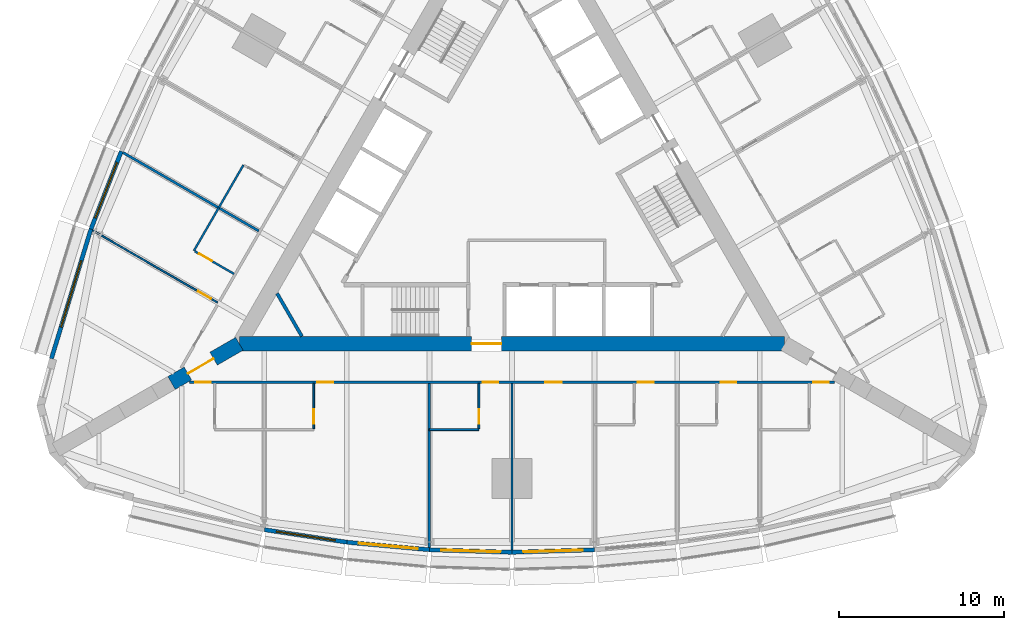
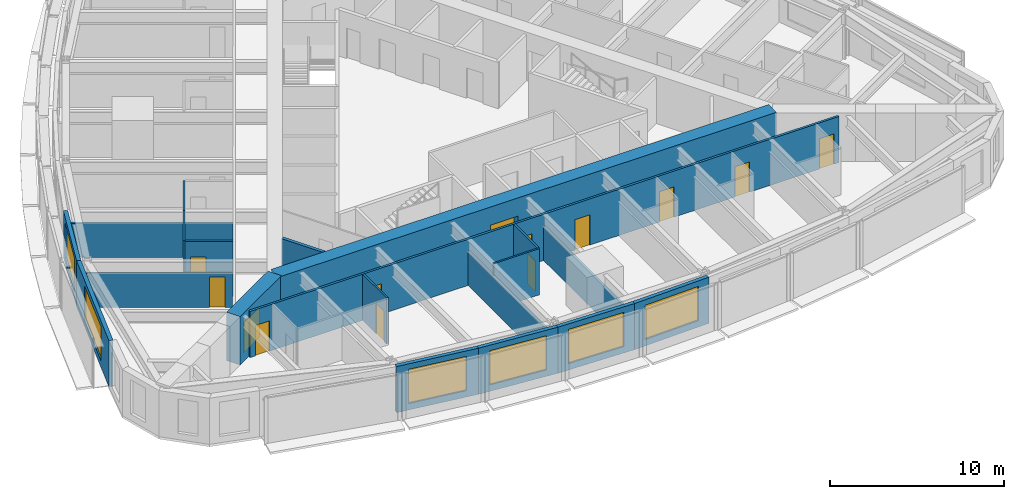
# One storey, part 8 of 14: 20 walls, 13 doors, 6 windows, 19 openings.
"""IFC4 building model written with IfcOpenShell, lengths in metres."""

from ifc_helpers import new_model, si_unit, direction, frame, frame_2d, origin, place, context, subcontext, project, spatial, rectangle, extrude, material, layer, layer_set, type_object, element, fill, save


model = new_model("IFC4")

# Units and contexts
model_context = context("Model", 3, precision=1e-05, world=origin(), true_north=direction((0.0, 1.0)))
body_context = subcontext(model_context, "Body", "Model", "MODEL_VIEW")
ifc_project = project(units=[si_unit("LENGTHUNIT", "METRE"), si_unit("AREAUNIT", "SQUARE_METRE"), si_unit("VOLUMEUNIT", "CUBIC_METRE"), si_unit("PLANEANGLEUNIT", "RADIAN"), si_unit("MASSUNIT", "GRAM", prefix="KILO")], contexts=[model_context])

# Site, building, storey
site_placement = place(None, origin())
site = spatial("IfcSite", under=ifc_project, at=site_placement, CompositionType="ELEMENT")
building_placement = place(site_placement, origin())
building = spatial("IfcBuilding", under=site, at=building_placement, Name="Trikona Tower", CompositionType="ELEMENT")
storey_placement = place(building_placement, frame((0.0, 0.0, 82.89990234375)))
storey = spatial("IfcBuildingStorey", under=building, at=storey_placement, Name="L21", CompositionType="ELEMENT", Elevation=82.89990234375)

# Wall, opening, door
ifc_material_1 = material(Name="Metal stud and cement board", Category="gypsum")
ifc_layer_1 = layer(ifc_material_1, 0.1201171875)
ifc_layer_set_1 = layer_set([ifc_layer_1], Name="Bathroom wall 120")
wall_type_1 = type_object("IfcWallType", Name="Bathroom wall 120", PredefinedType="PLUMBINGWALL", material=ifc_layer_set_1)
wall_1_placement = place(storey_placement, frame((-12.0, -11.92626953125, 0.0), z_axis=(0.0, 0.0, 1.0), x_axis=(0.0, -1.0, 0.0)))
wall_1 = element("IfcWall", 1, at=wall_1_placement, inside=storey, type_object=wall_type_1, Name="Bathroom wall 2102", PredefinedType="PLUMBINGWALL", context=body_context, shape_type="SweptSolid", body=[
    extrude(rectangle(XDim=2.739990234375, YDim=0.1201171875, at=frame_2d((1.3701171875, 0.0))), origin(), (0.0, 0.0, 1.0), 3.235107421875),
])
opening_1_placement = place(wall_1_placement, frame((1.550048828125, 0.0, 0.0)))
opening_1 = element("IfcOpeningElement", 2, at=opening_1_placement, cuts=wall_1, Name="Opening D2", PredefinedType="OPENING", context=body_context, shape_type="SweptSolid", body=[
    extrude(rectangle(XDim=0.89990234375, YDim=2.1298828125, at=frame_2d((0.449951171875, 1.06494140625))), frame((0.0, 0.070068359375, 0.0), z_axis=(0.0, -1.0, 0.0), x_axis=(1.0, 0.0, 0.0)), (0.0, 0.0, 1.0), 0.14013671875),
])
ifc_material_2 = material(Name="Steel door frame with solid-core timber leaf", Category="steel")
door_type_1 = type_object("IfcDoorType", Name="Bathroom door 900x2130", OperationType="SLIDING_TO_LEFT", PredefinedType="DOOR", material=ifc_material_2)
door_1_placement = place(opening_1_placement, origin())
door_1 = element("IfcDoor", 3, at=door_1_placement, inside=storey, type_object=door_type_1, Name="Bathroom door 2102", OperationType="SLIDING_TO_LEFT", OverallHeight=2.1298828125, OverallWidth=0.89990234375, PredefinedType="DOOR", context=body_context, shape_type="SweptSolid", body=[
    extrude(rectangle(XDim=0.89990234375, YDim=2.1298828125, at=frame_2d((0.449951171875, 1.06494140625))), frame((0.0, 0.02490234375, 0.0), z_axis=(0.0, -1.0, 0.0), x_axis=(1.0, 0.0, 0.0)), (0.0, 0.0, 1.0), 0.050048828125),
])
fill(opening_1, door_1)

# Wall
wall_2_placement = place(storey_placement, frame((-5.0, -14.726318359375, 0.0), z_axis=(0.0, 0.0, 1.0), x_axis=(1.0, 0.0, 0.0)))
element("IfcWall", 4, at=wall_2_placement, inside=storey, type_object=wall_type_1, Name="Bathroom wall 2103", PredefinedType="PLUMBINGWALL", context=body_context, shape_type="SweptSolid", body=[
    extrude(rectangle(XDim=3.0, YDim=0.1201171875, at=frame_2d((1.5, 0.0))), origin(), (0.0, 0.0, 1.0), 3.235107421875),
])

# Wall, opening, door
wall_3_placement = place(storey_placement, frame((-2.0, -11.92626953125, 0.0), z_axis=(0.0, 0.0, 1.0), x_axis=(0.0, -1.0, 0.0)))
wall_3 = element("IfcWall", 5, at=wall_3_placement, inside=storey, type_object=wall_type_1, Name="Bathroom wall 2103", PredefinedType="PLUMBINGWALL", context=body_context, shape_type="SweptSolid", body=[
    extrude(rectangle(XDim=2.739990234375, YDim=0.1201171875, at=frame_2d((1.3701171875, 0.0))), origin(), (0.0, 0.0, 1.0), 3.235107421875),
])
opening_2_placement = place(wall_3_placement, frame((1.550048828125, 0.0, 0.0)))
opening_2 = element("IfcOpeningElement", 6, at=opening_2_placement, cuts=wall_3, Name="Opening D2", PredefinedType="OPENING", context=body_context, shape_type="SweptSolid", body=[
    extrude(rectangle(XDim=0.89990234375, YDim=2.1298828125, at=frame_2d((0.449951171875, 1.06494140625))), frame((0.0, 0.070068359375, 0.0), z_axis=(0.0, -1.0, 0.0), x_axis=(1.0, 0.0, 0.0)), (0.0, 0.0, 1.0), 0.14013671875),
])
door_2_placement = place(opening_2_placement, origin())
door_2 = element("IfcDoor", 7, at=door_2_placement, inside=storey, type_object=door_type_1, Name="Bathroom door 2103", OperationType="SLIDING_TO_LEFT", OverallHeight=2.1298828125, OverallWidth=0.89990234375, PredefinedType="DOOR", context=body_context, shape_type="SweptSolid", body=[
    extrude(rectangle(XDim=0.89990234375, YDim=2.1298828125, at=frame_2d((0.449951171875, 1.06494140625))), frame((0.0, 0.02490234375, 0.0), z_axis=(0.0, -1.0, 0.0), x_axis=(1.0, 0.0, 0.0)), (0.0, 0.0, 1.0), 0.050048828125),
])
fill(opening_2, door_2)

# Walls
for number, where, z_axis, x_axis, name in (
    (8, (-16.25341796875, 1.301025390625, 0.0), (0.0, 0.0, 1.0), (-0.499990139034, -0.866031096941, 0.0), "Bathroom wall 2115.1"),
    (9, (-17.75341796875, -1.297119140625, 0.0), (0.0, 0.0, 1.0), (-0.499990139034, -0.866031096941, 0.0), "Bathroom wall 2116.1"),
):
    element("IfcWall", number, at=place(storey_placement, frame(where, z_axis=z_axis, x_axis=x_axis)), inside=storey, type_object=wall_type_1, Name=name, PredefinedType="PLUMBINGWALL", context=body_context, shape_type="SweptSolid", body=[
        extrude(rectangle(XDim=3.0, YDim=0.1201171875, at=frame_2d((1.5, 0.0))), origin(), (0.0, 0.0, 1.0), 3.235107421875),
    ])

# Wall, opening, door
wall_4_placement = place(storey_placement, frame((-16.82861328125, -5.295166015625, 0.0), z_axis=(0.0, 0.0, 1.0), x_axis=(-0.866035715982, 0.499982138324, 0.0)))
wall_4 = element("IfcWall", 10, at=wall_4_placement, inside=storey, type_object=wall_type_1, Name="Bathroom wall 2116.1", PredefinedType="PLUMBINGWALL", context=body_context, shape_type="SweptSolid", body=[
    extrude(rectangle(XDim=2.73974609375, YDim=0.1201171875, at=frame_2d((1.369873046875, 0.0))), origin(), (0.0, 0.0, 1.0), 3.235107421875),
])
opening_3_placement = place(wall_4_placement, frame((1.550048828125, 0.0, 0.0)))
opening_3 = element("IfcOpeningElement", 11, at=opening_3_placement, cuts=wall_4, Name="Opening D2", PredefinedType="OPENING", context=body_context, shape_type="SweptSolid", body=[
    extrude(rectangle(XDim=0.89990234375, YDim=2.1298828125, at=frame_2d((0.449951171875, 1.06494140625))), frame((0.0, 0.070068359375, 0.0), z_axis=(0.0, -1.0, 0.0), x_axis=(1.0, 0.0, 0.0)), (0.0, 0.0, 1.0), 0.14013671875),
])
door_3_placement = place(opening_3_placement, origin())
door_3 = element("IfcDoor", 12, at=door_3_placement, inside=storey, type_object=door_type_1, Name="Bathroom door 2116.1", OperationType="SLIDING_TO_LEFT", OverallHeight=2.1298828125, OverallWidth=0.89990234375, PredefinedType="DOOR", context=body_context, shape_type="SweptSolid", body=[
    extrude(rectangle(XDim=0.89990234375, YDim=2.1298828125, at=frame_2d((0.449951171875, 1.06494140625))), frame((0.0, 0.02490234375, 0.0), z_axis=(0.0, -1.0, 0.0), x_axis=(1.0, 0.0, 0.0)), (0.0, 0.0, 1.0), 0.050048828125),
])
fill(opening_3, door_3)

ifc_material_3 = material(Name="Concrete f'c 10000 psi", Category="concrete")
ifc_layer_2 = layer(ifc_material_3, 0.89990234375)
ifc_layer_set_2 = layer_set([ifc_layer_2], Name="Buttress wall 900")
wall_type_2 = type_object("IfcWallType", Name="Buttress wall 900", PredefinedType="SHEAR", material=ifc_layer_set_2)
wall_5_placement = place(storey_placement, frame((-16.5, -9.5263671875, 0.0), z_axis=(0.0, 0.0, 1.0), x_axis=(-0.866031398331, -0.499989616998, 0.0)))
wall_5 = element("IfcWall", 13, at=wall_5_placement, inside=storey, type_object=wall_type_2, Name="Buttress wall 3", PredefinedType="SHEAR", context=body_context, shape_type="SweptSolid", body=[
    extrude(rectangle(XDim=4.74609375, YDim=0.89990234375, at=frame_2d((2.373046875, 0.0))), origin(), (0.0, 0.0, 1.0), 3.400146484375),
])
opening_4_placement = place(wall_5_placement, frame((1.800048828125, 0.0, 0.0)))
opening_4 = element("IfcOpeningElement", 14, at=opening_4_placement, cuts=wall_5, Name="Opening D10", PredefinedType="OPENING", context=body_context, shape_type="SweptSolid", body=[
    extrude(rectangle(XDim=1.800048828125, YDim=2.1298828125, at=frame_2d((0.89990234375, 1.06494140625))), frame((0.0, 0.4599609375, 0.0), z_axis=(0.0, -1.0, 0.0), x_axis=(1.0, 0.0, 0.0)), (0.0, 0.0, 1.0), 0.919921875),
])
ifc_material_4 = material(Name="Hollow metal door and frame", Category="steel")
door_type_2 = type_object("IfcDoorType", Name="Cross-corridor door pair 1800x2130", OperationType="DOUBLE_DOOR_DOUBLE_SWING", PredefinedType="DOOR", material=ifc_material_4)
door_4_placement = place(opening_4_placement, origin())
door_4 = element("IfcDoor", 15, at=door_4_placement, inside=storey, type_object=door_type_2, Name="Cross-corridor door 3", OperationType="DOUBLE_DOOR_DOUBLE_SWING", OverallHeight=2.1298828125, OverallWidth=1.800048828125, PredefinedType="DOOR", context=body_context, shape_type="SweptSolid", body=[
    extrude(rectangle(XDim=1.800048828125, YDim=2.1298828125, at=frame_2d((0.89990234375, 1.06494140625))), frame((0.0, 0.02490234375, 0.0), z_axis=(0.0, -1.0, 0.0), x_axis=(1.0, 0.0, 0.0)), (0.0, 0.0, 1.0), 0.050048828125),
])
fill(opening_4, door_4)

ifc_material_5 = material(Name="Concrete f'c 10000 psi", Category="concrete")
ifc_layer_3 = layer(ifc_material_5, 0.89990234375)
ifc_layer_set_3 = layer_set([ifc_layer_3], Name="Core wall 900")
wall_type_3 = type_object("IfcWallType", Name="Core wall 900", PredefinedType="SHEAR", material=ifc_layer_set_3)
wall_6_placement = place(storey_placement, frame((-16.5, -9.5263671875, 0.0), z_axis=(0.0, 0.0, 1.0), x_axis=(1.0, 0.0, 0.0)))
wall_6 = element("IfcWall", 16, at=wall_6_placement, inside=storey, type_object=wall_type_3, Name="Core wall A", PredefinedType="SHEAR", context=body_context, shape_type="SweptSolid", body=[
    extrude(rectangle(XDim=33.0, YDim=0.89990234375, at=frame_2d((16.5, 0.0))), origin(), (0.0, 0.0, 1.0), 3.400146484375),
])
opening_5_placement = place(wall_6_placement, frame((14.050048828125, 0.0, 0.0)))
opening_5 = element("IfcOpeningElement", 17, at=opening_5_placement, cuts=wall_6, Name="Opening D6", PredefinedType="OPENING", context=body_context, shape_type="SweptSolid", body=[
    extrude(rectangle(XDim=1.800048828125, YDim=2.1298828125, at=frame_2d((0.89990234375, 1.06494140625))), frame((0.0, 0.4599609375, 0.0), z_axis=(0.0, -1.0, 0.0), x_axis=(1.0, 0.0, 0.0)), (0.0, 0.0, 1.0), 0.919921875),
])
ifc_material_6 = material(Name="Hollow metal door and frame", Category="steel")
door_type_3 = type_object("IfcDoorType", Name="Lobby door pair 1800x2130", OperationType="DOUBLE_DOOR_SINGLE_SWING", PredefinedType="DOOR", material=ifc_material_6)
door_5_placement = place(opening_5_placement, origin())
door_5 = element("IfcDoor", 18, at=door_5_placement, inside=storey, type_object=door_type_3, Name="Fire service lift lobby door", OperationType="DOUBLE_DOOR_SINGLE_SWING", OverallHeight=2.1298828125, OverallWidth=1.800048828125, PredefinedType="DOOR", context=body_context, shape_type="SweptSolid", body=[
    extrude(rectangle(XDim=1.800048828125, YDim=2.1298828125, at=frame_2d((0.89990234375, 1.06494140625))), frame((0.0, 0.02490234375, 0.0), z_axis=(0.0, -1.0, 0.0), x_axis=(1.0, 0.0, 0.0)), (0.0, 0.0, 1.0), 0.050048828125),
])
fill(opening_5, door_5)

# Wall, openings, doors
ifc_material_7 = material(Name="Metal stud and gypsum board, 1-hour", Category="gypsum")
ifc_layer_4 = layer(ifc_material_7, 0.14990234375)
ifc_layer_set_4 = layer_set([ifc_layer_4], Name="Corridor wall 150")
wall_type_4 = type_object("IfcWallType", Name="Corridor wall 150", PredefinedType="PARTITIONING", material=ifc_layer_set_4)
wall_7_placement = place(storey_placement, frame((-19.527099609375, -11.851318359375, 0.0), z_axis=(0.0, 0.0, 1.0), x_axis=(1.0, 0.0, 0.0)))
wall_7 = element("IfcWall", 19, at=wall_7_placement, inside=storey, type_object=wall_type_4, Name="Corridor wall L21-1", PredefinedType="PARTITIONING", context=body_context, shape_type="SweptSolid", body=[
    extrude(rectangle(XDim=39.05419921875, YDim=0.14990234375, at=frame_2d((19.527099609375, 0.0))), origin(), (0.0, 0.0, 1.0), 3.235107421875),
])
opening_6_placement = place(wall_7_placement, frame((0.35205078125, 0.0, 0.0)))
opening_6 = element("IfcOpeningElement", 20, at=opening_6_placement, cuts=wall_7, Name="Opening D1", PredefinedType="OPENING", context=body_context, shape_type="SweptSolid", body=[
    extrude(rectangle(XDim=0.949951171875, YDim=2.1298828125, at=frame_2d((0.47509765625, 1.06494140625))), frame((0.0, 0.0849609375, 0.0), z_axis=(0.0, -1.0, 0.0), x_axis=(1.0, 0.0, 0.0)), (0.0, 0.0, 1.0), 0.169921875),
])
opening_7_placement = place(wall_7_placement, frame((7.751953125, 0.0, 0.0)))
opening_7 = element("IfcOpeningElement", 21, at=opening_7_placement, cuts=wall_7, Name="Opening D1", PredefinedType="OPENING", context=body_context, shape_type="SweptSolid", body=[
    extrude(rectangle(XDim=0.949951171875, YDim=2.1298828125, at=frame_2d((0.47509765625, 1.06494140625))), frame((0.0, 0.0849609375, 0.0), z_axis=(0.0, -1.0, 0.0), x_axis=(1.0, 0.0, 0.0)), (0.0, 0.0, 1.0), 0.169921875),
])
opening_8_placement = place(wall_7_placement, frame((17.751953125, 0.0, 0.0)))
opening_8 = element("IfcOpeningElement", 22, at=opening_8_placement, cuts=wall_7, Name="Opening D1", PredefinedType="OPENING", context=body_context, shape_type="SweptSolid", body=[
    extrude(rectangle(XDim=0.949951171875, YDim=2.1298828125, at=frame_2d((0.47509765625, 1.06494140625))), frame((0.0, 0.0849609375, 0.0), z_axis=(0.0, -1.0, 0.0), x_axis=(1.0, 0.0, 0.0)), (0.0, 0.0, 1.0), 0.169921875),
])
opening_9_placement = place(wall_7_placement, frame((21.527099609375, 0.0, 0.0)))
opening_9 = element("IfcOpeningElement", 23, at=opening_9_placement, cuts=wall_7, Name="Opening D3", PredefinedType="OPENING", context=body_context, shape_type="SweptSolid", body=[
    extrude(rectangle(XDim=1.0, YDim=2.1298828125, at=frame_2d((0.5, 1.06494140625))), frame((0.0, 0.0849609375, 0.0), z_axis=(0.0, -1.0, 0.0), x_axis=(1.0, 0.0, 0.0)), (0.0, 0.0, 1.0), 0.169921875),
])
opening_10_placement = place(wall_7_placement, frame((27.152099609375, 0.0, 0.0)))
opening_10 = element("IfcOpeningElement", 24, at=opening_10_placement, cuts=wall_7, Name="Opening D1", PredefinedType="OPENING", context=body_context, shape_type="SweptSolid", body=[
    extrude(rectangle(XDim=0.949951171875, YDim=2.1298828125, at=frame_2d((0.47509765625, 1.06494140625))), frame((0.0, 0.0849609375, 0.0), z_axis=(0.0, -1.0, 0.0), x_axis=(1.0, 0.0, 0.0)), (0.0, 0.0, 1.0), 0.169921875),
])
opening_11_placement = place(wall_7_placement, frame((32.152099609375, 0.0, 0.0)))
opening_11 = element("IfcOpeningElement", 25, at=opening_11_placement, cuts=wall_7, Name="Opening D1", PredefinedType="OPENING", context=body_context, shape_type="SweptSolid", body=[
    extrude(rectangle(XDim=0.949951171875, YDim=2.1298828125, at=frame_2d((0.47509765625, 1.06494140625))), frame((0.0, 0.0849609375, 0.0), z_axis=(0.0, -1.0, 0.0), x_axis=(1.0, 0.0, 0.0)), (0.0, 0.0, 1.0), 0.169921875),
])
opening_12_placement = place(wall_7_placement, frame((37.751953125, 0.0, 0.0)))
opening_12 = element("IfcOpeningElement", 26, at=opening_12_placement, cuts=wall_7, Name="Opening D1", PredefinedType="OPENING", context=body_context, shape_type="SweptSolid", body=[
    extrude(rectangle(XDim=0.949951171875, YDim=2.1298828125, at=frame_2d((0.47509765625, 1.06494140625))), frame((0.0, 0.0849609375, 0.0), z_axis=(0.0, -1.0, 0.0), x_axis=(1.0, 0.0, 0.0)), (0.0, 0.0, 1.0), 0.169921875),
])
ifc_material_8 = material(Name="Steel door frame with solid-core timber leaf", Category="steel")
door_type_4 = type_object("IfcDoorType", Name="Guest room door 950x2130", OperationType="SINGLE_SWING_LEFT", PredefinedType="DOOR", material=ifc_material_8)
door_6_placement = place(opening_6_placement, origin())
door_6 = element("IfcDoor", 27, at=door_6_placement, inside=storey, type_object=door_type_4, Name="Room door 2101", OperationType="SINGLE_SWING_LEFT", OverallHeight=2.1298828125, OverallWidth=0.949951171875, PredefinedType="DOOR", context=body_context, shape_type="SweptSolid", body=[
    extrude(rectangle(XDim=0.949951171875, YDim=2.1298828125, at=frame_2d((0.47509765625, 1.06494140625))), frame((0.0, 0.02490234375, 0.0), z_axis=(0.0, -1.0, 0.0), x_axis=(1.0, 0.0, 0.0)), (0.0, 0.0, 1.0), 0.050048828125),
])
fill(opening_6, door_6)
door_7_placement = place(opening_7_placement, origin())
door_7 = element("IfcDoor", 28, at=door_7_placement, inside=storey, type_object=door_type_4, Name="Room door 2102", OperationType="SINGLE_SWING_RIGHT", OverallHeight=2.1298828125, OverallWidth=0.949951171875, PredefinedType="DOOR", context=body_context, shape_type="SweptSolid", body=[
    extrude(rectangle(XDim=0.949951171875, YDim=2.1298828125, at=frame_2d((0.47509765625, 1.06494140625))), frame((0.0, 0.02490234375, 0.0), z_axis=(0.0, -1.0, 0.0), x_axis=(1.0, 0.0, 0.0)), (0.0, 0.0, 1.0), 0.050048828125),
])
fill(opening_7, door_7)
door_8_placement = place(opening_8_placement, origin())
door_8 = element("IfcDoor", 29, at=door_8_placement, inside=storey, type_object=door_type_4, Name="Room door 2103", OperationType="SINGLE_SWING_LEFT", OverallHeight=2.1298828125, OverallWidth=0.949951171875, PredefinedType="DOOR", context=body_context, shape_type="SweptSolid", body=[
    extrude(rectangle(XDim=0.949951171875, YDim=2.1298828125, at=frame_2d((0.47509765625, 1.06494140625))), frame((0.0, 0.02490234375, 0.0), z_axis=(0.0, -1.0, 0.0), x_axis=(1.0, 0.0, 0.0)), (0.0, 0.0, 1.0), 0.050048828125),
])
fill(opening_8, door_8)
door_9_placement = place(opening_10_placement, origin())
door_9 = element("IfcDoor", 30, at=door_9_placement, inside=storey, type_object=door_type_4, Name="Room door 2104", OperationType="SINGLE_SWING_LEFT", OverallHeight=2.1298828125, OverallWidth=0.949951171875, PredefinedType="DOOR", context=body_context, shape_type="SweptSolid", body=[
    extrude(rectangle(XDim=0.949951171875, YDim=2.1298828125, at=frame_2d((0.47509765625, 1.06494140625))), frame((0.0, 0.02490234375, 0.0), z_axis=(0.0, -1.0, 0.0), x_axis=(1.0, 0.0, 0.0)), (0.0, 0.0, 1.0), 0.050048828125),
])
fill(opening_10, door_9)
door_10_placement = place(opening_11_placement, origin())
door_10 = element("IfcDoor", 31, at=door_10_placement, inside=storey, type_object=door_type_4, Name="Room door 2105", OperationType="SINGLE_SWING_RIGHT", OverallHeight=2.1298828125, OverallWidth=0.949951171875, PredefinedType="DOOR", context=body_context, shape_type="SweptSolid", body=[
    extrude(rectangle(XDim=0.949951171875, YDim=2.1298828125, at=frame_2d((0.47509765625, 1.06494140625))), frame((0.0, 0.02490234375, 0.0), z_axis=(0.0, -1.0, 0.0), x_axis=(1.0, 0.0, 0.0)), (0.0, 0.0, 1.0), 0.050048828125),
])
fill(opening_11, door_10)
door_11_placement = place(opening_12_placement, origin())
door_11 = element("IfcDoor", 32, at=door_11_placement, inside=storey, type_object=door_type_4, Name="Room door 2106", OperationType="SINGLE_SWING_RIGHT", OverallHeight=2.1298828125, OverallWidth=0.949951171875, PredefinedType="DOOR", context=body_context, shape_type="SweptSolid", body=[
    extrude(rectangle(XDim=0.949951171875, YDim=2.1298828125, at=frame_2d((0.47509765625, 1.06494140625))), frame((0.0, 0.02490234375, 0.0), z_axis=(0.0, -1.0, 0.0), x_axis=(1.0, 0.0, 0.0)), (0.0, 0.0, 1.0), 0.050048828125),
])
fill(opening_12, door_11)
ifc_material_9 = material(Name="Steel door frame with solid-core timber leaf", Category="steel")
door_type_5 = type_object("IfcDoorType", Name="Room door 1000x2130", OperationType="SINGLE_SWING_LEFT", PredefinedType="DOOR", material=ifc_material_9)
door_12_placement = place(opening_9_placement, origin())
door_12 = element("IfcDoor", 33, at=door_12_placement, inside=storey, type_object=door_type_5, Name="Door Housekeeping pantry", OperationType="SINGLE_SWING_RIGHT", OverallHeight=2.1298828125, OverallWidth=1.0, PredefinedType="DOOR", context=body_context, shape_type="SweptSolid", body=[
    extrude(rectangle(XDim=1.0, YDim=2.1298828125, at=frame_2d((0.5, 1.06494140625))), frame((0.0, 0.02490234375, 0.0), z_axis=(0.0, -1.0, 0.0), x_axis=(1.0, 0.0, 0.0)), (0.0, 0.0, 1.0), 0.050048828125),
])
fill(opening_9, door_12)

# Wall, opening, window
ifc_material_10 = material(Name="Insulated precast concrete spandrel panel", Category="concrete")
ifc_layer_5 = layer(ifc_material_10, 0.25)
ifc_layer_set_5 = layer_set([ifc_layer_5], Name="Inner skin wall 250")
wall_type_5 = type_object("IfcWallType", Name="Inner skin wall 250", PredefinedType="STANDARD", material=ifc_layer_set_5)
wall_8_placement = place(storey_placement, frame((-14.981201171875, -20.779296875, 0.0), z_axis=(0.0, 0.0, 1.0), x_axis=(0.988615403399, -0.150464561152, 0.0)))
wall_8 = element("IfcWall", 34, at=wall_8_placement, inside=storey, type_object=wall_type_5, Name="External wall L21-01", PredefinedType="STANDARD", context=body_context, shape_type="SweptSolid", body=[
    extrude(rectangle(XDim=5.0576171875, YDim=0.25, at=frame_2d((2.52880859375, 0.0))), origin(), (0.0, 0.0, 1.0), 3.235107421875),
])
opening_13_placement = place(wall_8_placement, frame((0.728759765625, 0.0, 0.449951171875)))
opening_13 = element("IfcOpeningElement", 35, at=opening_13_placement, cuts=wall_8, Name="Opening W3624", PredefinedType="OPENING", context=body_context, shape_type="SweptSolid", body=[
    extrude(rectangle(XDim=3.60009765625, YDim=2.39990234375, at=frame_2d((1.800048828125, 1.199951171875))), frame((0.0, 0.135009765625, 0.0), z_axis=(0.0, -1.0, 0.0), x_axis=(1.0, 0.0, 0.0)), (0.0, 0.0, 1.0), 0.27001953125),
])
ifc_material_11 = material(Name="Aluminium-framed double glazing", Category="aluminium")
window_type_1 = type_object("IfcWindowType", Name="Window 3600x2400", PartitioningType="SINGLE_PANEL", PredefinedType="WINDOW", material=ifc_material_11)
window_1_placement = place(opening_13_placement, origin())
window_1 = element("IfcWindow", 36, at=window_1_placement, inside=storey, type_object=window_type_1, Name="Window 2102", OverallHeight=2.39990234375, OverallWidth=3.60009765625, PartitioningType="SINGLE_PANEL", PredefinedType="WINDOW", context=body_context, shape_type="SweptSolid", body=[
    extrude(rectangle(XDim=3.60009765625, YDim=2.39990234375, at=frame_2d((1.800048828125, 1.199951171875))), frame((0.0, 0.030029296875, 0.0), z_axis=(0.0, -1.0, 0.0), x_axis=(1.0, 0.0, 0.0)), (0.0, 0.0, 1.0), 0.06005859375),
])
fill(opening_13, window_1)

wall_9_placement = place(storey_placement, frame((-9.988525390625, -21.539306640625, 0.0), z_axis=(0.0, 0.0, 1.0), x_axis=(0.995857256774, -0.090930325692, 0.0)))
wall_9 = element("IfcWall", 37, at=wall_9_placement, inside=storey, type_object=wall_type_5, Name="External wall L21-02", PredefinedType="STANDARD", context=body_context, shape_type="SweptSolid", body=[
    extrude(rectangle(XDim=5.020751953125, YDim=0.25, at=frame_2d((2.51025390625, 0.0))), origin(), (0.0, 0.0, 1.0), 3.235107421875),
])
opening_14_placement = place(wall_9_placement, frame((0.71044921875, 0.0, 0.449951171875)))
opening_14 = element("IfcOpeningElement", 38, at=opening_14_placement, cuts=wall_9, Name="Opening W3624", PredefinedType="OPENING", context=body_context, shape_type="SweptSolid", body=[
    extrude(rectangle(XDim=3.60009765625, YDim=2.39990234375, at=frame_2d((1.800048828125, 1.199951171875))), frame((0.0, 0.135009765625, 0.0), z_axis=(0.0, -1.0, 0.0), x_axis=(1.0, 0.0, 0.0)), (0.0, 0.0, 1.0), 0.27001953125),
])
window_2_placement = place(opening_14_placement, origin())
window_2 = element("IfcWindow", 39, at=window_2_placement, inside=storey, type_object=window_type_1, Name="Window 2102", OverallHeight=2.39990234375, OverallWidth=3.60009765625, PartitioningType="SINGLE_PANEL", PredefinedType="WINDOW", context=body_context, shape_type="SweptSolid", body=[
    extrude(rectangle(XDim=3.60009765625, YDim=2.39990234375, at=frame_2d((1.800048828125, 1.199951171875))), frame((0.0, 0.030029296875, 0.0), z_axis=(0.0, -1.0, 0.0), x_axis=(1.0, 0.0, 0.0)), (0.0, 0.0, 1.0), 0.06005859375),
])
fill(opening_14, window_2)

wall_10_placement = place(storey_placement, frame((-4.99609375, -21.99560546875, 0.0), z_axis=(0.0, 0.0, 1.0), x_axis=(0.999537635046, -0.030405856769, 0.0)))
wall_10 = element("IfcWall", 40, at=wall_10_placement, inside=storey, type_object=wall_type_5, Name="External wall L21-03", PredefinedType="STANDARD", context=body_context, shape_type="SweptSolid", body=[
    extrude(rectangle(XDim=5.002197265625, YDim=0.25, at=frame_2d((2.5009765625, 0.0))), origin(), (0.0, 0.0, 1.0), 3.235107421875),
])
opening_15_placement = place(wall_10_placement, frame((0.701171875, 0.0, 0.449951171875)))
opening_15 = element("IfcOpeningElement", 41, at=opening_15_placement, cuts=wall_10, Name="Opening W3624", PredefinedType="OPENING", context=body_context, shape_type="SweptSolid", body=[
    extrude(rectangle(XDim=3.60009765625, YDim=2.39990234375, at=frame_2d((1.800048828125, 1.199951171875))), frame((0.0, 0.135009765625, 0.0), z_axis=(0.0, -1.0, 0.0), x_axis=(1.0, 0.0, 0.0)), (0.0, 0.0, 1.0), 0.27001953125),
])
window_3_placement = place(opening_15_placement, origin())
window_3 = element("IfcWindow", 42, at=window_3_placement, inside=storey, type_object=window_type_1, Name="Window 2103", OverallHeight=2.39990234375, OverallWidth=3.60009765625, PartitioningType="SINGLE_PANEL", PredefinedType="WINDOW", context=body_context, shape_type="SweptSolid", body=[
    extrude(rectangle(XDim=3.60009765625, YDim=2.39990234375, at=frame_2d((1.800048828125, 1.199951171875))), frame((0.0, 0.030029296875, 0.0), z_axis=(0.0, -1.0, 0.0), x_axis=(1.0, 0.0, 0.0)), (0.0, 0.0, 1.0), 0.06005859375),
])
fill(opening_15, window_3)

wall_11_placement = place(storey_placement, frame((-0.00390625, -22.147705078125, 0.0), z_axis=(0.0, 0.0, 1.0), x_axis=(0.999537635046, 0.030405856769, 0.0)))
wall_11 = element("IfcWall", 43, at=wall_11_placement, inside=storey, type_object=wall_type_5, Name="External wall L21-04", PredefinedType="STANDARD", context=body_context, shape_type="SweptSolid", body=[
    extrude(rectangle(XDim=5.002197265625, YDim=0.25, at=frame_2d((2.5009765625, 0.0))), origin(), (0.0, 0.0, 1.0), 3.235107421875),
])
opening_16_placement = place(wall_11_placement, frame((0.701171875, 0.0, 0.449951171875)))
opening_16 = element("IfcOpeningElement", 44, at=opening_16_placement, cuts=wall_11, Name="Opening W3624", PredefinedType="OPENING", context=body_context, shape_type="SweptSolid", body=[
    extrude(rectangle(XDim=3.60009765625, YDim=2.39990234375, at=frame_2d((1.800048828125, 1.199951171875))), frame((0.0, 0.135009765625, 0.0), z_axis=(0.0, -1.0, 0.0), x_axis=(1.0, 0.0, 0.0)), (0.0, 0.0, 1.0), 0.27001953125),
])
window_4_placement = place(opening_16_placement, origin())
window_4 = element("IfcWindow", 45, at=window_4_placement, inside=storey, type_object=window_type_1, Name="Window L21-HKP", OverallHeight=2.39990234375, OverallWidth=3.60009765625, PartitioningType="SINGLE_PANEL", PredefinedType="WINDOW", context=body_context, shape_type="SweptSolid", body=[
    extrude(rectangle(XDim=3.60009765625, YDim=2.39990234375, at=frame_2d((1.800048828125, 1.199951171875))), frame((0.0, 0.030029296875, 0.0), z_axis=(0.0, -1.0, 0.0), x_axis=(1.0, 0.0, 0.0)), (0.0, 0.0, 1.0), 0.06005859375),
])
fill(opening_16, window_4)

wall_12_placement = place(storey_placement, frame((-23.64501953125, 2.126220703125, 0.0), z_axis=(0.0, 0.0, 1.0), x_axis=(-0.364013463868, -0.931393685894, 0.0)))
wall_12 = element("IfcWall", 46, at=wall_12_placement, inside=storey, type_object=wall_type_5, Name="External wall L21-30", PredefinedType="STANDARD", context=body_context, shape_type="SweptSolid", body=[
    extrude(rectangle(XDim=5.0576171875, YDim=0.25, at=frame_2d((2.52880859375, 0.0))), origin(), (0.0, 0.0, 1.0), 3.235107421875),
])
opening_17_placement = place(wall_12_placement, frame((0.728759765625, 0.0, 0.449951171875)))
opening_17 = element("IfcOpeningElement", 47, at=opening_17_placement, cuts=wall_12, Name="Opening W3624", PredefinedType="OPENING", context=body_context, shape_type="SweptSolid", body=[
    extrude(rectangle(XDim=3.60009765625, YDim=2.39990234375, at=frame_2d((1.800048828125, 1.199951171875))), frame((0.0, 0.135009765625, 0.0), z_axis=(0.0, -1.0, 0.0), x_axis=(1.0, 0.0, 0.0)), (0.0, 0.0, 1.0), 0.27001953125),
])
window_5_placement = place(opening_17_placement, origin())
window_5 = element("IfcWindow", 48, at=window_5_placement, inside=storey, type_object=window_type_1, Name="Window 2116.1", OverallHeight=2.39990234375, OverallWidth=3.60009765625, PartitioningType="SINGLE_PANEL", PredefinedType="WINDOW", context=body_context, shape_type="SweptSolid", body=[
    extrude(rectangle(XDim=3.60009765625, YDim=2.39990234375, at=frame_2d((1.800048828125, 1.199951171875))), frame((0.0, 0.030029296875, 0.0), z_axis=(0.0, -1.0, 0.0), x_axis=(1.0, 0.0, 0.0)), (0.0, 0.0, 1.0), 0.06005859375),
])
fill(opening_17, window_5)

wall_13_placement = place(storey_placement, frame((-25.48291015625, -2.575439453125, 0.0), z_axis=(0.0, 0.0, 1.0), x_axis=(-0.2919790669, -0.956424709265, 0.0)))
wall_13 = element("IfcWall", 49, at=wall_13_placement, inside=storey, type_object=wall_type_5, Name="External wall L21-31", PredefinedType="STANDARD", context=body_context, shape_type="SweptSolid", body=[
    extrude(rectangle(XDim=8.211181640625, YDim=0.25, at=frame_2d((4.10546875, 0.0))), origin(), (0.0, 0.0, 1.0), 3.235107421875),
])
opening_18_placement = place(wall_13_placement, frame((2.005615234375, 0.0, 0.449951171875)))
opening_18 = element("IfcOpeningElement", 50, at=opening_18_placement, cuts=wall_13, Name="Opening W4224", PredefinedType="OPENING", context=body_context, shape_type="SweptSolid", body=[
    extrude(rectangle(XDim=4.199951171875, YDim=2.39990234375, at=frame_2d((2.10009765625, 1.199951171875))), frame((0.0, 0.135009765625, 0.0), z_axis=(0.0, -1.0, 0.0), x_axis=(1.0, 0.0, 0.0)), (0.0, 0.0, 1.0), 0.27001953125),
])
ifc_material_12 = material(Name="Aluminium-framed double glazing", Category="aluminium")
window_type_2 = type_object("IfcWindowType", Name="Window 4200x2400", PartitioningType="SINGLE_PANEL", PredefinedType="WINDOW", material=ifc_material_12)
window_6_placement = place(opening_18_placement, origin())
window_6 = element("IfcWindow", 51, at=window_6_placement, inside=storey, type_object=window_type_2, Name="Window 2116", OverallHeight=2.39990234375, OverallWidth=4.199951171875, PartitioningType="SINGLE_PANEL", PredefinedType="WINDOW", context=body_context, shape_type="SweptSolid", body=[
    extrude(rectangle(XDim=4.199951171875, YDim=2.39990234375, at=frame_2d((2.10009765625, 1.199951171875))), frame((0.0, 0.030029296875, 0.0), z_axis=(0.0, -1.0, 0.0), x_axis=(1.0, 0.0, 0.0)), (0.0, 0.0, 1.0), 0.06005859375),
])
fill(opening_18, window_6)

# Walls
ifc_material_13 = material(Name="Metal stud and gypsum board, 1-hour acoustic", Category="gypsum")
ifc_layer_6 = layer(ifc_material_13, 0.14990234375)
ifc_layer_set_6 = layer_set([ifc_layer_6], Name="Party wall 150")
wall_type_6 = type_object("IfcWallType", Name="Party wall 150", PredefinedType="PARTITIONING", material=ifc_layer_set_6)
wall_14_placement = place(storey_placement, frame((-5.0, -11.92626953125, 0.0), z_axis=(0.0, 0.0, 1.0), x_axis=(0.0, -1.0, 0.0)))
element("IfcWall", 52, at=wall_14_placement, inside=storey, type_object=wall_type_6, Name="Partition L21 F1 u-5", PredefinedType="PARTITIONING", context=body_context, shape_type="SweptSolid", body=[
    extrude(rectangle(XDim=9.943115234375, YDim=0.14990234375, at=frame_2d((4.9716796875, 0.0))), origin(), (0.0, 0.0, 1.0), 2.389404296875),
])
wall_15_placement = place(storey_placement, frame((0.0, -11.92626953125, 0.0), z_axis=(0.0, 0.0, 1.0), x_axis=(0.0, -1.0, 0.0)))
element("IfcWall", 53, at=wall_15_placement, inside=storey, type_object=wall_type_6, Name="Partition L21 F1 u-1.03538e-30", PredefinedType="PARTITIONING", context=body_context, shape_type="SweptSolid", body=[
    extrude(rectangle(XDim=10.09619140625, YDim=0.14990234375, at=frame_2d((5.048095703125, 0.0))), origin(), (0.0, 0.0, 1.0), 2.389404296875),
])
wall_16_placement = place(storey_placement, frame((-15.32861328125, -2.697021484375, 0.0), z_axis=(0.0, 0.0, 1.0), x_axis=(-0.866018409083, 0.500012114982, 0.0)))
element("IfcWall", 54, at=wall_16_placement, inside=storey, type_object=wall_type_6, Name="Partition L21 F3 u10", PredefinedType="PARTITIONING", context=body_context, shape_type="SweptSolid", body=[
    extrude(rectangle(XDim=9.484619140625, YDim=0.14990234375, at=frame_2d((4.7421875, 0.0))), origin(), (0.0, 0.0, 1.0), 2.389404296875),
])
ifc_material_14 = material(Name="Concrete f'c 8000 psi", Category="concrete")
ifc_layer_7 = layer(ifc_material_14, 0.199951171875)
ifc_layer_set_7 = layer_set([ifc_layer_7], Name="Shaft wall 200")
wall_type_7 = type_object("IfcWallType", Name="Shaft wall 200", PredefinedType="SOLIDWALL", material=ifc_layer_set_7)
wall_17_placement = place(storey_placement, frame((-12.718505859375, -9.076416015625, 0.0), z_axis=(0.0, 0.0, 1.0), x_axis=(-0.499952404951, 0.866052881055, 0.0)))
element("IfcWall", 55, at=wall_17_placement, inside=storey, type_object=wall_type_7, Name="Riser wall L21-RS3", PredefinedType="SOLIDWALL", context=body_context, shape_type="SweptSolid", body=[
    extrude(rectangle(XDim=3.002197265625, YDim=0.199951171875, at=frame_2d((1.5009765625, 0.0))), origin(), (0.0, 0.0, 1.0), 3.235107421875),
])

# Wall, opening, door
ifc_material_15 = material(Name="Metal stud and gypsum board, acoustic", Category="gypsum")
ifc_layer_8 = layer(ifc_material_15, 0.10009765625)
ifc_layer_set_8 = layer_set([ifc_layer_8], Name="Suite partition 100")
wall_type_8 = type_object("IfcWallType", Name="Suite partition 100", PredefinedType="PARTITIONING", material=ifc_layer_set_8)
wall_18_placement = place(storey_placement, frame((-17.82861328125, -7.027099609375, 0.0), z_axis=(0.0, 0.0, 1.0), x_axis=(-0.866032659912, 0.499987431809, 0.0)))
wall_18 = element("IfcWall", 56, at=wall_18_placement, inside=storey, type_object=wall_type_8, Name="Suite partition L21 F3 u15", PredefinedType="PARTITIONING", context=body_context, shape_type="SweptSolid", body=[
    extrude(rectangle(XDim=8.719970703125, YDim=0.10009765625, at=frame_2d((4.35986328125, 0.0))), origin(), (0.0, 0.0, 1.0), 2.389404296875),
])
opening_19_placement = place(wall_18_placement, frame((0.449951171875, 0.0, 0.0)))
opening_19 = element("IfcOpeningElement", 57, at=opening_19_placement, cuts=wall_18, Name="Opening D13", PredefinedType="OPENING", context=body_context, shape_type="SweptSolid", body=[
    extrude(rectangle(XDim=0.89990234375, YDim=2.1298828125, at=frame_2d((0.449951171875, 1.06494140625))), frame((0.0, 0.06005859375, 0.0), z_axis=(0.0, -1.0, 0.0), x_axis=(1.0, 0.0, 0.0)), (0.0, 0.0, 1.0), 0.1201171875),
])
ifc_material_16 = material(Name="Steel door frame with solid-core timber leaf", Category="steel")
door_type_6 = type_object("IfcDoorType", Name="Suite door 900x2130", OperationType="SINGLE_SWING_LEFT", PredefinedType="DOOR", material=ifc_material_16)
door_13_placement = place(opening_19_placement, origin())
door_13 = element("IfcDoor", 58, at=door_13_placement, inside=storey, type_object=door_type_6, Name="Suite door 2116", OperationType="SINGLE_SWING_LEFT", OverallHeight=2.1298828125, OverallWidth=0.89990234375, PredefinedType="DOOR", context=body_context, shape_type="SweptSolid", body=[
    extrude(rectangle(XDim=0.89990234375, YDim=2.1298828125, at=frame_2d((0.449951171875, 1.06494140625))), frame((0.0, 0.02490234375, 0.0), z_axis=(0.0, -1.0, 0.0), x_axis=(1.0, 0.0, 0.0)), (0.0, 0.0, 1.0), 0.050048828125),
])
fill(opening_19, door_13)

save(model, "model.ifc")
